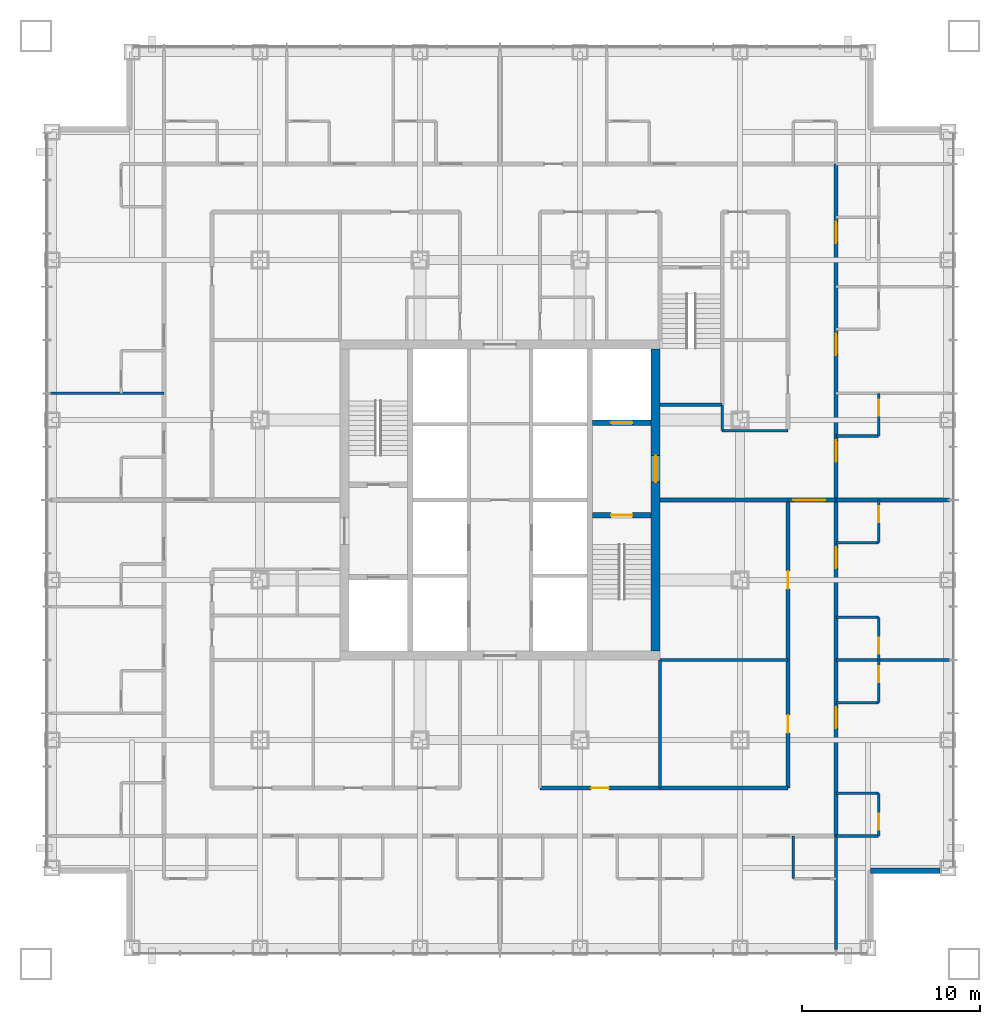
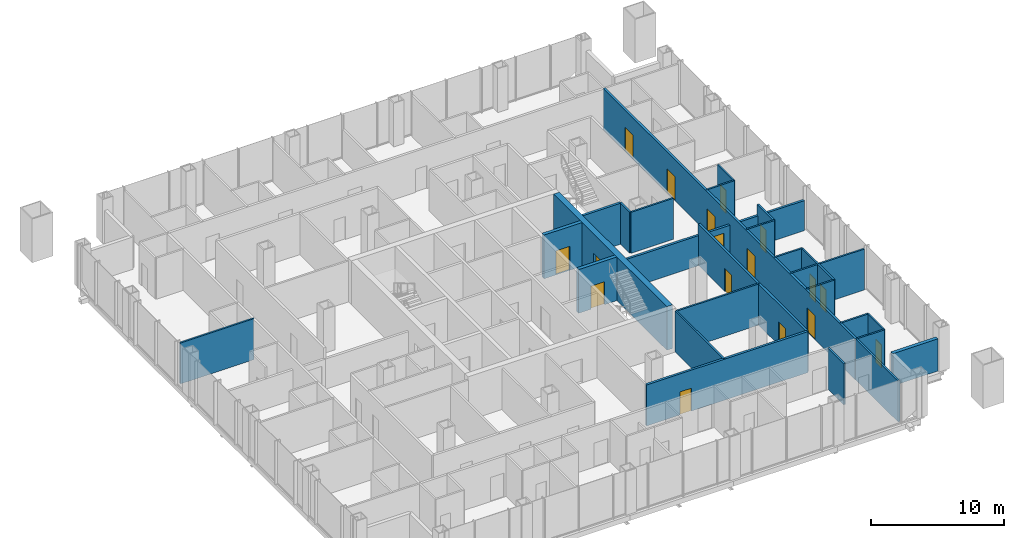
# One storey, part 9 of 12: 30 walls, 17 doors, 17 openings.
"""IFC4 building model written with IfcOpenShell, lengths in metres."""

from ifc_helpers import new_model, si_unit, direction, frame, frame_2d, origin, place, context, subcontext, project, spatial, rectangle, extrude, material, layer, layer_set, type_object, element, fill, save


model = new_model("IFC4")

# Units and contexts
model_context = context("Model", 3, precision=1e-05, world=origin(), true_north=direction((0.0, 1.0)))
body_context = subcontext(model_context, "Body", "Model", "MODEL_VIEW")
ifc_project = project(units=[si_unit("LENGTHUNIT", "METRE"), si_unit("AREAUNIT", "SQUARE_METRE"), si_unit("VOLUMEUNIT", "CUBIC_METRE"), si_unit("PLANEANGLEUNIT", "RADIAN"), si_unit("MASSUNIT", "GRAM", prefix="KILO")], contexts=[model_context])

# Site, building, storey
site_placement = place(None, origin())
site = spatial("IfcSite", under=ifc_project, at=site_placement, CompositionType="ELEMENT")
building_placement = place(site_placement, origin())
building = spatial("IfcBuilding", under=site, at=building_placement, Name="Malebo Sky Hospital", CompositionType="ELEMENT")
storey_placement = place(building_placement, frame((0.0, 0.0, 59.0)))
storey = spatial("IfcBuildingStorey", under=building, at=storey_placement, Name="L13", CompositionType="ELEMENT", Elevation=59.0)

# Wall, opening, door
ifc_material_1 = material(Name="Concrete C80/95", Category="concrete")
ifc_layer_1 = layer(ifc_material_1, 0.300048828125)
ifc_layer_set_1 = layer_set([ifc_layer_1], Name="CORE INNER WALL 300")
wall_type_1 = type_object("IfcWallType", Name="CORE INNER WALL 300", PredefinedType="SHEAR", material=ifc_layer_set_1)
wall_1_placement = place(storey_placement, frame((65.199951171875, 61.14990234375, 0.0), z_axis=(0.0, 0.0, 1.0), x_axis=(1.0, 0.0, 0.0)))
wall_1 = element("IfcWall", 1, at=wall_1_placement, inside=storey, type_object=wall_type_1, Name="Core wall E1 L13", PredefinedType="SHEAR", context=body_context, shape_type="SweptSolid", body=[
    extrude(rectangle(XDim=3.300048828125, YDim=0.300048828125, at=frame_2d((1.64990234375, 0.0))), origin(), (0.0, 0.0, 1.0), 4.0),
])
opening_1_placement = place(wall_1_placement, frame((1.050048828125, 0.0, 0.0)))
opening_1 = element("IfcOpeningElement", 2, at=opening_1_placement, cuts=wall_1, Name="Opening D08", PredefinedType="OPENING", context=body_context, shape_type="SweptSolid", body=[
    extrude(rectangle(XDim=1.199951171875, YDim=2.10009765625, at=frame_2d((0.60009765625, 1.050048828125))), frame((0.0, 0.159912109375, 0.0), z_axis=(0.0, -1.0, 0.0), x_axis=(1.0, 0.0, 0.0)), (0.0, 0.0, 1.0), 0.320068359375),
])
ifc_material_2 = material(Name="Hardwood-faced door leaf in steel frame", Category="steel")
door_type_1 = type_object("IfcDoorType", Name="STAIR DOOR 1200", OperationType="SINGLE_SWING_LEFT", PredefinedType="DOOR", material=ifc_material_2)
door_1_placement = place(opening_1_placement, origin())
door_1 = element("IfcDoor", 3, at=door_1_placement, inside=storey, type_object=door_type_1, Name="Stair S2 door", OperationType="SINGLE_SWING_LEFT", OverallHeight=2.10009765625, OverallWidth=1.199951171875, PredefinedType="DOOR", context=body_context, shape_type="SweptSolid", body=[
    extrude(rectangle(XDim=1.199951171875, YDim=2.10009765625, at=frame_2d((0.60009765625, 1.050048828125))), frame((0.0, 0.02490234375, 0.0), z_axis=(0.0, -1.0, 0.0), x_axis=(1.0, 0.0, 0.0)), (0.0, 0.0, 1.0), 0.050048828125),
])
fill(opening_1, door_1)

wall_2_placement = place(storey_placement, frame((65.199951171875, 66.35009765625, 0.0), z_axis=(0.0, 0.0, 1.0), x_axis=(1.0, 0.0, 0.0)))
wall_2 = element("IfcWall", 4, at=wall_2_placement, inside=storey, type_object=wall_type_1, Name="Core wall E2 L13", PredefinedType="SHEAR", context=body_context, shape_type="SweptSolid", body=[
    extrude(rectangle(XDim=3.300048828125, YDim=0.300048828125, at=frame_2d((1.64990234375, 0.0))), origin(), (0.0, 0.0, 1.0), 4.0),
])
opening_2_placement = place(wall_2_placement, frame((1.050048828125, 0.0, 0.0)))
opening_2 = element("IfcOpeningElement", 5, at=opening_2_placement, cuts=wall_2, Name="Opening LD2", PredefinedType="OPENING", context=body_context, shape_type="SweptSolid", body=[
    extrude(rectangle(XDim=1.199951171875, YDim=2.199951171875, at=frame_2d((0.60009765625, 1.10009765625))), frame((0.0, 0.159912109375, 0.0), z_axis=(0.0, -1.0, 0.0), x_axis=(1.0, 0.0, 0.0)), (0.0, 0.0, 1.0), 0.320068359375),
])
ifc_material_3 = material(Name="Stainless steel sliding landing door", Category="steel")
door_type_2 = type_object("IfcDoorType", Name="FIRE-FIGHTING LIFT LANDING DOOR 1200", OperationType="SLIDING_TO_LEFT", PredefinedType="DOOR", material=ifc_material_3)
door_2_placement = place(opening_2_placement, origin())
door_2 = element("IfcDoor", 6, at=door_2_placement, inside=storey, type_object=door_type_2, Name="Lift FL2 landing door", OperationType="SLIDING_TO_LEFT", OverallHeight=2.199951171875, OverallWidth=1.199951171875, PredefinedType="DOOR", context=body_context, shape_type="SweptSolid", body=[
    extrude(rectangle(XDim=1.199951171875, YDim=2.199951171875, at=frame_2d((0.60009765625, 1.10009765625))), frame((0.0, 0.02490234375, 0.0), z_axis=(0.0, -1.0, 0.0), x_axis=(1.0, 0.0, 0.0)), (0.0, 0.0, 1.0), 0.050048828125),
])
fill(opening_2, door_2)

ifc_layer_2 = layer(ifc_material_1, 0.5)
ifc_layer_set_2 = layer_set([ifc_layer_2], Name="CORE WALL 500")
wall_type_2 = type_object("IfcWallType", Name="CORE WALL 500", PredefinedType="SHEAR", material=ifc_layer_set_2)
wall_3_placement = place(storey_placement, frame((68.75, 53.5, 0.0), z_axis=(0.0, 0.0, 1.0), x_axis=(0.0, 1.0, 0.0)))
wall_3 = element("IfcWall", 7, at=wall_3_placement, inside=storey, type_object=wall_type_2, Name="Core wall E L13", PredefinedType="SHEAR", context=body_context, shape_type="SweptSolid", body=[
    extrude(rectangle(XDim=17.0, YDim=0.5, at=frame_2d((8.5, 0.0))), origin(), (0.0, 0.0, 1.0), 4.0),
])
opening_3_placement = place(wall_3_placement, frame((9.5, 0.0, 0.0)))
opening_3 = element("IfcOpeningElement", 8, at=opening_3_placement, cuts=wall_3, Name="Opening D07", PredefinedType="OPENING", context=body_context, shape_type="SweptSolid", body=[
    extrude(rectangle(XDim=1.5, YDim=2.199951171875, at=frame_2d((0.75, 1.10009765625))), frame((0.0, 0.260009765625, 0.0), z_axis=(0.0, -1.0, 0.0), x_axis=(1.0, 0.0, 0.0)), (0.0, 0.0, 1.0), 0.52001953125),
])
door_type_3 = type_object("IfcDoorType", Name="FIRE-FIGHTING LOBBY DOOR PAIR 1500", OperationType="DOUBLE_DOOR_SINGLE_SWING", PredefinedType="DOOR", material=ifc_material_2)
door_3_placement = place(opening_3_placement, origin())
door_3 = element("IfcDoor", 9, at=door_3_placement, inside=storey, type_object=door_type_3, Name="Fire-fighting lobby door east", OperationType="DOUBLE_DOOR_SINGLE_SWING", OverallHeight=2.199951171875, OverallWidth=1.5, PredefinedType="DOOR", context=body_context, shape_type="SweptSolid", body=[
    extrude(rectangle(XDim=1.5, YDim=2.199951171875, at=frame_2d((0.75, 1.10009765625))), frame((0.0, 0.02490234375, 0.0), z_axis=(0.0, -1.0, 0.0), x_axis=(1.0, 0.0, 0.0)), (0.0, 0.0, 1.0), 0.050048828125),
])
fill(opening_3, door_3)

ifc_material_4 = material(Name="Gypsum board on steel studs", Category="steel")
ifc_layer_3 = layer(ifc_material_4, 0.199951171875)
ifc_layer_set_3 = layer_set([ifc_layer_3], Name="CORRIDOR WALL 200")
wall_type_3 = type_object("IfcWallType", Name="CORRIDOR WALL 200", PredefinedType="PARTITIONING", material=ifc_layer_set_3)
wall_4_placement = place(storey_placement, frame((76.199951171875, 45.800048828125, 0.0), z_axis=(0.0, 0.0, 1.0), x_axis=(-1.0, 0.0, 0.0)))
wall_4 = element("IfcWall", 10, at=wall_4_placement, inside=storey, type_object=wall_type_3, Name="Corridor Wall 200 SCI1", PredefinedType="PARTITIONING", context=body_context, shape_type="SweptSolid", body=[
    extrude(rectangle(XDim=13.949951171875, YDim=0.199951171875, at=frame_2d((6.97509765625, 0.0))), origin(), (0.0, 0.0, 1.0), 3.75),
])
opening_4_placement = place(wall_4_placement, frame((10.074951171875, 0.0, 0.0)))
opening_4 = element("IfcOpeningElement", 11, at=opening_4_placement, cuts=wall_4, Name="Opening D03", PredefinedType="OPENING", context=body_context, shape_type="SweptSolid", body=[
    extrude(rectangle(XDim=1.0, YDim=2.10009765625, at=frame_2d((0.5, 1.050048828125))), frame((0.0, 0.10986328125, 0.0), z_axis=(0.0, -1.0, 0.0), x_axis=(1.0, 0.0, 0.0)), (0.0, 0.0, 1.0), 0.219970703125),
])
door_type_4 = type_object("IfcDoorType", Name="ROOM DOOR 1000", OperationType="SINGLE_SWING_LEFT", PredefinedType="DOOR", material=ifc_material_2)
door_4_placement = place(opening_4_placement, origin())
door_4 = element("IfcDoor", 12, at=door_4_placement, inside=storey, type_object=door_type_4, Name="Ward pantry door", OperationType="SINGLE_SWING_LEFT", OverallHeight=2.10009765625, OverallWidth=1.0, PredefinedType="DOOR", context=body_context, shape_type="SweptSolid", body=[
    extrude(rectangle(XDim=1.0, YDim=2.10009765625, at=frame_2d((0.5, 1.050048828125))), frame((0.0, 0.02490234375, 0.0), z_axis=(0.0, -1.0, 0.0), x_axis=(1.0, 0.0, 0.0)), (0.0, 0.0, 1.0), 0.050048828125),
])
fill(opening_4, door_4)

# Wall, openings, doors
wall_5_placement = place(storey_placement, frame((78.89990234375, 80.89990234375, 0.0), z_axis=(0.0, 0.0, 1.0), x_axis=(0.0, -1.0, 0.0)))
wall_5 = element("IfcWall", 13, at=wall_5_placement, inside=storey, type_object=wall_type_3, Name="Corridor Wall 200 ECO", PredefinedType="PARTITIONING", context=body_context, shape_type="SweptSolid", body=[
    extrude(rectangle(XDim=37.7998046875, YDim=0.199951171875, at=frame_2d((18.89990234375, 0.0))), origin(), (0.0, 0.0, 1.0), 3.75),
])
opening_5_placement = place(wall_5_placement, frame((3.25, 0.0, 0.0)))
opening_5 = element("IfcOpeningElement", 14, at=opening_5_placement, cuts=wall_5, Name="Opening D18", PredefinedType="OPENING", context=body_context, shape_type="SweptSolid", body=[
    extrude(rectangle(XDim=1.199951171875, YDim=2.199951171875, at=frame_2d((0.60009765625, 1.10009765625))), frame((0.0, 0.10986328125, 0.0), z_axis=(0.0, -1.0, 0.0), x_axis=(1.0, 0.0, 0.0)), (0.0, 0.0, 1.0), 0.219970703125),
])
opening_6_placement = place(wall_5_placement, frame((9.550048828125, 0.0, 0.0)))
opening_6 = element("IfcOpeningElement", 15, at=opening_6_placement, cuts=wall_5, Name="Opening D01", PredefinedType="OPENING", context=body_context, shape_type="SweptSolid", body=[
    extrude(rectangle(XDim=1.199951171875, YDim=2.199951171875, at=frame_2d((0.60009765625, 1.10009765625))), frame((0.0, 0.10986328125, 0.0), z_axis=(0.0, -1.0, 0.0), x_axis=(1.0, 0.0, 0.0)), (0.0, 0.0, 1.0), 0.219970703125),
])
opening_7_placement = place(wall_5_placement, frame((15.550048828125, 0.0, 0.0)))
opening_7 = element("IfcOpeningElement", 16, at=opening_7_placement, cuts=wall_5, Name="Opening D01", PredefinedType="OPENING", context=body_context, shape_type="SweptSolid", body=[
    extrude(rectangle(XDim=1.199951171875, YDim=2.199951171875, at=frame_2d((0.60009765625, 1.10009765625))), frame((0.0, 0.10986328125, 0.0), z_axis=(0.0, -1.0, 0.0), x_axis=(1.0, 0.0, 0.0)), (0.0, 0.0, 1.0), 0.219970703125),
])
opening_8_placement = place(wall_5_placement, frame((21.550048828125, 0.0, 0.0)))
opening_8 = element("IfcOpeningElement", 17, at=opening_8_placement, cuts=wall_5, Name="Opening D01", PredefinedType="OPENING", context=body_context, shape_type="SweptSolid", body=[
    extrude(rectangle(XDim=1.199951171875, YDim=2.199951171875, at=frame_2d((0.60009765625, 1.10009765625))), frame((0.0, 0.10986328125, 0.0), z_axis=(0.0, -1.0, 0.0), x_axis=(1.0, 0.0, 0.0)), (0.0, 0.0, 1.0), 0.219970703125),
])
opening_9_placement = place(wall_5_placement, frame((30.550048828125, 0.0, 0.0)))
opening_9 = element("IfcOpeningElement", 18, at=opening_9_placement, cuts=wall_5, Name="Opening D01", PredefinedType="OPENING", context=body_context, shape_type="SweptSolid", body=[
    extrude(rectangle(XDim=1.199951171875, YDim=2.199951171875, at=frame_2d((0.60009765625, 1.10009765625))), frame((0.0, 0.10986328125, 0.0), z_axis=(0.0, -1.0, 0.0), x_axis=(1.0, 0.0, 0.0)), (0.0, 0.0, 1.0), 0.219970703125),
])
door_type_5 = type_object("IfcDoorType", Name="ANTEROOM DOOR 1200", OperationType="SINGLE_SWING_LEFT", PredefinedType="DOOR", material=ifc_material_2)
door_5_placement = place(opening_5_placement, origin())
door_5 = element("IfcDoor", 19, at=door_5_placement, inside=storey, type_object=door_type_5, Name="Anteroom door", OperationType="SINGLE_SWING_LEFT", OverallHeight=2.199951171875, OverallWidth=1.199951171875, PredefinedType="DOOR", context=body_context, shape_type="SweptSolid", body=[
    extrude(rectangle(XDim=1.199951171875, YDim=2.199951171875, at=frame_2d((0.60009765625, 1.10009765625))), frame((0.0, 0.02490234375, 0.0), z_axis=(0.0, -1.0, 0.0), x_axis=(1.0, 0.0, 0.0)), (0.0, 0.0, 1.0), 0.050048828125),
])
fill(opening_5, door_5)
door_type_6 = type_object("IfcDoorType", Name="BED DOOR 1200", OperationType="SINGLE_SWING_LEFT", PredefinedType="DOOR", material=ifc_material_2)
door_6_placement = place(opening_6_placement, origin())
door_6 = element("IfcDoor", 20, at=door_6_placement, inside=storey, type_object=door_type_6, Name="Two-bed room door", OperationType="SINGLE_SWING_LEFT", OverallHeight=2.199951171875, OverallWidth=1.199951171875, PredefinedType="DOOR", context=body_context, shape_type="SweptSolid", body=[
    extrude(rectangle(XDim=1.199951171875, YDim=2.199951171875, at=frame_2d((0.60009765625, 1.10009765625))), frame((0.0, 0.02490234375, 0.0), z_axis=(0.0, -1.0, 0.0), x_axis=(1.0, 0.0, 0.0)), (0.0, 0.0, 1.0), 0.050048828125),
])
fill(opening_6, door_6)
door_7_placement = place(opening_7_placement, origin())
door_7 = element("IfcDoor", 21, at=door_7_placement, inside=storey, type_object=door_type_6, Name="Two-bed room door", OperationType="SINGLE_SWING_LEFT", OverallHeight=2.199951171875, OverallWidth=1.199951171875, PredefinedType="DOOR", context=body_context, shape_type="SweptSolid", body=[
    extrude(rectangle(XDim=1.199951171875, YDim=2.199951171875, at=frame_2d((0.60009765625, 1.10009765625))), frame((0.0, 0.02490234375, 0.0), z_axis=(0.0, -1.0, 0.0), x_axis=(1.0, 0.0, 0.0)), (0.0, 0.0, 1.0), 0.050048828125),
])
fill(opening_7, door_7)
door_8_placement = place(opening_8_placement, origin())
door_8 = element("IfcDoor", 22, at=door_8_placement, inside=storey, type_object=door_type_6, Name="Four-bed bay door", OperationType="SINGLE_SWING_LEFT", OverallHeight=2.199951171875, OverallWidth=1.199951171875, PredefinedType="DOOR", context=body_context, shape_type="SweptSolid", body=[
    extrude(rectangle(XDim=1.199951171875, YDim=2.199951171875, at=frame_2d((0.60009765625, 1.10009765625))), frame((0.0, 0.02490234375, 0.0), z_axis=(0.0, -1.0, 0.0), x_axis=(1.0, 0.0, 0.0)), (0.0, 0.0, 1.0), 0.050048828125),
])
fill(opening_8, door_8)
door_9_placement = place(opening_9_placement, origin())
door_9 = element("IfcDoor", 23, at=door_9_placement, inside=storey, type_object=door_type_6, Name="Four-bed bay door", OperationType="SINGLE_SWING_LEFT", OverallHeight=2.199951171875, OverallWidth=1.199951171875, PredefinedType="DOOR", context=body_context, shape_type="SweptSolid", body=[
    extrude(rectangle(XDim=1.199951171875, YDim=2.199951171875, at=frame_2d((0.60009765625, 1.10009765625))), frame((0.0, 0.02490234375, 0.0), z_axis=(0.0, -1.0, 0.0), x_axis=(1.0, 0.0, 0.0)), (0.0, 0.0, 1.0), 0.050048828125),
])
fill(opening_9, door_9)

wall_6_placement = place(storey_placement, frame((76.199951171875, 62.0, 0.0), z_axis=(0.0, 0.0, 1.0), x_axis=(0.0, -1.0, 0.0)))
wall_6 = element("IfcWall", 24, at=wall_6_placement, inside=storey, type_object=wall_type_3, Name="Corridor Wall 200 ECI2", PredefinedType="PARTITIONING", context=body_context, shape_type="SweptSolid", body=[
    extrude(rectangle(XDim=16.199951171875, YDim=0.199951171875, at=frame_2d((8.10009765625, 0.0))), origin(), (0.0, 0.0, 1.0), 3.75),
])
opening_10_placement = place(wall_6_placement, frame((4.0, 0.0, 0.0)))
opening_10 = element("IfcOpeningElement", 25, at=opening_10_placement, cuts=wall_6, Name="Opening D03", PredefinedType="OPENING", context=body_context, shape_type="SweptSolid", body=[
    extrude(rectangle(XDim=1.0, YDim=2.10009765625, at=frame_2d((0.5, 1.050048828125))), frame((0.0, 0.10986328125, 0.0), z_axis=(0.0, -1.0, 0.0), x_axis=(1.0, 0.0, 0.0)), (0.0, 0.0, 1.0), 0.219970703125),
])
opening_11_placement = place(wall_6_placement, frame((12.10009765625, 0.0, 0.0)))
opening_11 = element("IfcOpeningElement", 26, at=opening_11_placement, cuts=wall_6, Name="Opening D03", PredefinedType="OPENING", context=body_context, shape_type="SweptSolid", body=[
    extrude(rectangle(XDim=1.0, YDim=2.10009765625, at=frame_2d((0.5, 1.050048828125))), frame((0.0, 0.10986328125, 0.0), z_axis=(0.0, -1.0, 0.0), x_axis=(1.0, 0.0, 0.0)), (0.0, 0.0, 1.0), 0.219970703125),
])
door_10_placement = place(opening_10_placement, origin())
door_10 = element("IfcDoor", 27, at=door_10_placement, inside=storey, type_object=door_type_4, Name="Staff rest room door", OperationType="SINGLE_SWING_LEFT", OverallHeight=2.10009765625, OverallWidth=1.0, PredefinedType="DOOR", context=body_context, shape_type="SweptSolid", body=[
    extrude(rectangle(XDim=1.0, YDim=2.10009765625, at=frame_2d((0.5, 1.050048828125))), frame((0.0, 0.02490234375, 0.0), z_axis=(0.0, -1.0, 0.0), x_axis=(1.0, 0.0, 0.0)), (0.0, 0.0, 1.0), 0.050048828125),
])
fill(opening_10, door_10)
door_11_placement = place(opening_11_placement, origin())
door_11 = element("IfcDoor", 28, at=door_11_placement, inside=storey, type_object=door_type_4, Name="Wound care room door", OperationType="SINGLE_SWING_RIGHT", OverallHeight=2.10009765625, OverallWidth=1.0, PredefinedType="DOOR", context=body_context, shape_type="SweptSolid", body=[
    extrude(rectangle(XDim=1.0, YDim=2.10009765625, at=frame_2d((0.5, 1.050048828125))), frame((0.0, 0.02490234375, 0.0), z_axis=(0.0, -1.0, 0.0), x_axis=(1.0, 0.0, 0.0)), (0.0, 0.0, 1.0), 0.050048828125),
])
fill(opening_11, door_11)

# Walls
ifc_material_5 = material(Name="Anodised aluminium rainscreen on steel framing", Category="steel")
ifc_layer_4 = layer(ifc_material_5, 0.300048828125)
ifc_layer_set_4 = layer_set([ifc_layer_4], Name="NOTCH RAINSCREEN WALL 300")
wall_type_4 = type_object("IfcWallType", Name="NOTCH RAINSCREEN WALL 300", PredefinedType="ELEMENTEDWALL", material=ifc_layer_set_4)
wall_7_placement = place(storey_placement, frame((84.75, 41.14990234375, 0.0), z_axis=(0.0, 0.0, 1.0), x_axis=(-1.0, 0.0, 0.0)))
element("IfcWall", 29, at=wall_7_placement, inside=storey, type_object=wall_type_4, Name="Notch rainscreen wall E1 L13", PredefinedType="ELEMENTEDWALL", context=body_context, shape_type="SweptSolid", body=[
    extrude(rectangle(XDim=3.89990234375, YDim=0.300048828125, at=frame_2d((1.949951171875, 0.0))), origin(), (0.0, 0.0, 1.0), 2.949951171875),
])
ifc_layer_5 = layer(ifc_material_4, 0.14990234375)
ifc_layer_set_5 = layer_set([ifc_layer_5], Name="PARTITION 150")
wall_type_5 = type_object("IfcWallType", Name="PARTITION 150", PredefinedType="PARTITIONING", material=ifc_layer_set_5)
for number, where, z_axis, x_axis, name in (
    (30, (41.10009765625, 68.0, 0.0), (0.0, 0.0, 1.0), (-1.0, 0.0, 0.0), "Partition 150 WP+6.0"),
    (31, (78.89990234375, 43.10009765625, 0.0), (0.0, 0.0, 1.0), (0.0, -1.0, 0.0), "Partition 150 SP0"),
):
    element("IfcWall", number, at=place(storey_placement, frame(where, z_axis=z_axis, x_axis=x_axis)), inside=storey, type_object=wall_type_5, Name=name, PredefinedType="PARTITIONING", context=body_context, shape_type="SweptSolid", body=[
        extrude(rectangle(XDim=6.375, YDim=0.14990234375, at=frame_2d((3.1875, 0.0))), origin(), (0.0, 0.0, 1.0), 3.75),
    ])
wall_8_placement = place(storey_placement, frame((76.5, 43.10009765625, 0.0), z_axis=(0.0, 0.0, 1.0), x_axis=(0.0, -1.0, 0.0)))
element("IfcWall", 32, at=wall_8_placement, inside=storey, type_object=wall_type_5, Name="Partition 150 SE0S", PredefinedType="PARTITIONING", context=body_context, shape_type="SweptSolid", body=[
    extrude(rectangle(XDim=2.400146484375, YDim=0.14990234375, at=frame_2d((1.2001953125, 0.0))), origin(), (0.0, 0.0, 1.0), 3.75),
])
wall_9_placement = place(storey_placement, frame((69.0, 53.0, 0.0), z_axis=(0.0, 0.0, 1.0), x_axis=(0.0, -1.0, 0.0)))
element("IfcWall", 33, at=wall_9_placement, inside=storey, type_object=wall_type_5, Name="Partition 150 SSP0", PredefinedType="PARTITIONING", context=body_context, shape_type="SweptSolid", body=[
    extrude(rectangle(XDim=7.199951171875, YDim=0.14990234375, at=frame_2d((3.60009765625, 0.0))), origin(), (0.0, 0.0, 1.0), 3.75),
])
wall_10_placement = place(storey_placement, frame((78.89990234375, 53.0, 0.0), z_axis=(0.0, 0.0, 1.0), x_axis=(1.0, 0.0, 0.0)))
element("IfcWall", 34, at=wall_10_placement, inside=storey, type_object=wall_type_5, Name="Partition 150 EP+9.0", PredefinedType="PARTITIONING", context=body_context, shape_type="SweptSolid", body=[
    extrude(rectangle(XDim=6.375, YDim=0.14990234375, at=frame_2d((3.1875, 0.0))), origin(), (0.0, 0.0, 1.0), 3.75),
])

# Wall, opening, door
wall_11_placement = place(storey_placement, frame((81.300048828125, 68.0, 0.0), z_axis=(0.0, 0.0, 1.0), x_axis=(0.0, -1.0, 0.0)))
wall_11 = element("IfcWall", 35, at=wall_11_placement, inside=storey, type_object=wall_type_5, Name="Partition 150 EE2F", PredefinedType="PARTITIONING", context=body_context, shape_type="SweptSolid", body=[
    extrude(rectangle(XDim=2.39990234375, YDim=0.14990234375, at=frame_2d((1.199951171875, 0.0))), origin(), (0.0, 0.0, 1.0), 3.75),
])
opening_12_placement = place(wall_11_placement, frame((0.35009765625, 0.0, 0.0)))
opening_12 = element("IfcOpeningElement", 36, at=opening_12_placement, cuts=wall_11, Name="Opening D02", PredefinedType="OPENING", context=body_context, shape_type="SweptSolid", body=[
    extrude(rectangle(XDim=0.89990234375, YDim=2.10009765625, at=frame_2d((0.449951171875, 1.050048828125))), frame((0.0, 0.0849609375, 0.0), z_axis=(0.0, -1.0, 0.0), x_axis=(1.0, 0.0, 0.0)), (0.0, 0.0, 1.0), 0.169921875),
])
door_type_7 = type_object("IfcDoorType", Name="EN-SUITE DOOR 900", OperationType="SINGLE_SWING_LEFT", PredefinedType="DOOR", material=ifc_material_2)
door_12_placement = place(opening_12_placement, origin())
door_12 = element("IfcDoor", 37, at=door_12_placement, inside=storey, type_object=door_type_7, Name="En-suite door", OperationType="SINGLE_SWING_LEFT", OverallHeight=2.10009765625, OverallWidth=0.89990234375, PredefinedType="DOOR", context=body_context, shape_type="SweptSolid", body=[
    extrude(rectangle(XDim=0.89990234375, YDim=2.10009765625, at=frame_2d((0.449951171875, 1.050048828125))), frame((0.0, 0.02490234375, 0.0), z_axis=(0.0, -1.0, 0.0), x_axis=(1.0, 0.0, 0.0)), (0.0, 0.0, 1.0), 0.050048828125),
])
fill(opening_12, door_12)

# Wall
wall_12_placement = place(storey_placement, frame((78.89990234375, 65.60009765625, 0.0), z_axis=(0.0, 0.0, 1.0), x_axis=(1.0, 0.0, 0.0)))
element("IfcWall", 38, at=wall_12_placement, inside=storey, type_object=wall_type_5, Name="Partition 150 EE2S", PredefinedType="PARTITIONING", context=body_context, shape_type="SweptSolid", body=[
    extrude(rectangle(XDim=2.400146484375, YDim=0.14990234375, at=frame_2d((1.2001953125, 0.0))), origin(), (0.0, 0.0, 1.0), 3.75),
])

# Wall, opening, door
wall_13_placement = place(storey_placement, frame((81.300048828125, 62.0, 0.0), z_axis=(0.0, 0.0, 1.0), x_axis=(0.0, -1.0, 0.0)))
wall_13 = element("IfcWall", 39, at=wall_13_placement, inside=storey, type_object=wall_type_5, Name="Partition 150 EE3F", PredefinedType="PARTITIONING", context=body_context, shape_type="SweptSolid", body=[
    extrude(rectangle(XDim=2.39990234375, YDim=0.14990234375, at=frame_2d((1.199951171875, 0.0))), origin(), (0.0, 0.0, 1.0), 3.75),
])
opening_13_placement = place(wall_13_placement, frame((0.35009765625, 0.0, 0.0)))
opening_13 = element("IfcOpeningElement", 40, at=opening_13_placement, cuts=wall_13, Name="Opening D02", PredefinedType="OPENING", context=body_context, shape_type="SweptSolid", body=[
    extrude(rectangle(XDim=0.89990234375, YDim=2.10009765625, at=frame_2d((0.449951171875, 1.050048828125))), frame((0.0, 0.0849609375, 0.0), z_axis=(0.0, -1.0, 0.0), x_axis=(1.0, 0.0, 0.0)), (0.0, 0.0, 1.0), 0.169921875),
])
door_13_placement = place(opening_13_placement, origin())
door_13 = element("IfcDoor", 41, at=door_13_placement, inside=storey, type_object=door_type_7, Name="En-suite door", OperationType="SINGLE_SWING_LEFT", OverallHeight=2.10009765625, OverallWidth=0.89990234375, PredefinedType="DOOR", context=body_context, shape_type="SweptSolid", body=[
    extrude(rectangle(XDim=0.89990234375, YDim=2.10009765625, at=frame_2d((0.449951171875, 1.050048828125))), frame((0.0, 0.02490234375, 0.0), z_axis=(0.0, -1.0, 0.0), x_axis=(1.0, 0.0, 0.0)), (0.0, 0.0, 1.0), 0.050048828125),
])
fill(opening_13, door_13)

# Wall
wall_14_placement = place(storey_placement, frame((78.89990234375, 59.60009765625, 0.0), z_axis=(0.0, 0.0, 1.0), x_axis=(1.0, 0.0, 0.0)))
element("IfcWall", 42, at=wall_14_placement, inside=storey, type_object=wall_type_5, Name="Partition 150 EE3S", PredefinedType="PARTITIONING", context=body_context, shape_type="SweptSolid", body=[
    extrude(rectangle(XDim=2.400146484375, YDim=0.14990234375, at=frame_2d((1.2001953125, 0.0))), origin(), (0.0, 0.0, 1.0), 3.75),
])

# Wall, opening, door
wall_15_placement = place(storey_placement, frame((81.300048828125, 55.39990234375, 0.0), z_axis=(0.0, 0.0, 1.0), x_axis=(0.0, -1.0, 0.0)))
wall_15 = element("IfcWall", 43, at=wall_15_placement, inside=storey, type_object=wall_type_5, Name="Partition 150 EG3F", PredefinedType="PARTITIONING", context=body_context, shape_type="SweptSolid", body=[
    extrude(rectangle(XDim=2.39990234375, YDim=0.14990234375, at=frame_2d((1.199951171875, 0.0))), origin(), (0.0, 0.0, 1.0), 3.75),
])
opening_14_placement = place(wall_15_placement, frame((1.14990234375, 0.0, 0.0)))
opening_14 = element("IfcOpeningElement", 44, at=opening_14_placement, cuts=wall_15, Name="Opening D02", PredefinedType="OPENING", context=body_context, shape_type="SweptSolid", body=[
    extrude(rectangle(XDim=0.89990234375, YDim=2.10009765625, at=frame_2d((0.449951171875, 1.050048828125))), frame((0.0, 0.0849609375, 0.0), z_axis=(0.0, -1.0, 0.0), x_axis=(1.0, 0.0, 0.0)), (0.0, 0.0, 1.0), 0.169921875),
])
door_14_placement = place(opening_14_placement, origin())
door_14 = element("IfcDoor", 45, at=door_14_placement, inside=storey, type_object=door_type_7, Name="En-suite door", OperationType="SINGLE_SWING_RIGHT", OverallHeight=2.10009765625, OverallWidth=0.89990234375, PredefinedType="DOOR", context=body_context, shape_type="SweptSolid", body=[
    extrude(rectangle(XDim=0.89990234375, YDim=2.10009765625, at=frame_2d((0.449951171875, 1.050048828125))), frame((0.0, 0.02490234375, 0.0), z_axis=(0.0, -1.0, 0.0), x_axis=(1.0, 0.0, 0.0)), (0.0, 0.0, 1.0), 0.050048828125),
])
fill(opening_14, door_14)

# Wall
wall_16_placement = place(storey_placement, frame((78.89990234375, 55.39990234375, 0.0), z_axis=(0.0, 0.0, 1.0), x_axis=(1.0, 0.0, 0.0)))
element("IfcWall", 46, at=wall_16_placement, inside=storey, type_object=wall_type_5, Name="Partition 150 EG3S", PredefinedType="PARTITIONING", context=body_context, shape_type="SweptSolid", body=[
    extrude(rectangle(XDim=2.400146484375, YDim=0.14990234375, at=frame_2d((1.2001953125, 0.0))), origin(), (0.0, 0.0, 1.0), 3.75),
])

# Wall, opening, door
wall_17_placement = place(storey_placement, frame((81.300048828125, 53.0, 0.0), z_axis=(0.0, 0.0, 1.0), x_axis=(0.0, -1.0, 0.0)))
wall_17 = element("IfcWall", 47, at=wall_17_placement, inside=storey, type_object=wall_type_5, Name="Partition 150 EE4F", PredefinedType="PARTITIONING", context=body_context, shape_type="SweptSolid", body=[
    extrude(rectangle(XDim=2.39990234375, YDim=0.14990234375, at=frame_2d((1.199951171875, 0.0))), origin(), (0.0, 0.0, 1.0), 3.75),
])
opening_15_placement = place(wall_17_placement, frame((0.35009765625, 0.0, 0.0)))
opening_15 = element("IfcOpeningElement", 48, at=opening_15_placement, cuts=wall_17, Name="Opening D02", PredefinedType="OPENING", context=body_context, shape_type="SweptSolid", body=[
    extrude(rectangle(XDim=0.89990234375, YDim=2.10009765625, at=frame_2d((0.449951171875, 1.050048828125))), frame((0.0, 0.0849609375, 0.0), z_axis=(0.0, -1.0, 0.0), x_axis=(1.0, 0.0, 0.0)), (0.0, 0.0, 1.0), 0.169921875),
])
door_15_placement = place(opening_15_placement, origin())
door_15 = element("IfcDoor", 49, at=door_15_placement, inside=storey, type_object=door_type_7, Name="En-suite door", OperationType="SINGLE_SWING_LEFT", OverallHeight=2.10009765625, OverallWidth=0.89990234375, PredefinedType="DOOR", context=body_context, shape_type="SweptSolid", body=[
    extrude(rectangle(XDim=0.89990234375, YDim=2.10009765625, at=frame_2d((0.449951171875, 1.050048828125))), frame((0.0, 0.02490234375, 0.0), z_axis=(0.0, -1.0, 0.0), x_axis=(1.0, 0.0, 0.0)), (0.0, 0.0, 1.0), 0.050048828125),
])
fill(opening_15, door_15)

# Wall
wall_18_placement = place(storey_placement, frame((78.89990234375, 50.60009765625, 0.0), z_axis=(0.0, 0.0, 1.0), x_axis=(1.0, 0.0, 0.0)))
element("IfcWall", 50, at=wall_18_placement, inside=storey, type_object=wall_type_5, Name="Partition 150 EE4S", PredefinedType="PARTITIONING", context=body_context, shape_type="SweptSolid", body=[
    extrude(rectangle(XDim=2.400146484375, YDim=0.14990234375, at=frame_2d((1.2001953125, 0.0))), origin(), (0.0, 0.0, 1.0), 3.75),
])

# Wall, opening, door
wall_19_placement = place(storey_placement, frame((81.300048828125, 45.5, 0.0), z_axis=(0.0, 0.0, 1.0), x_axis=(0.0, -1.0, 0.0)))
wall_19 = element("IfcWall", 51, at=wall_19_placement, inside=storey, type_object=wall_type_5, Name="Partition 150 EG4F", PredefinedType="PARTITIONING", context=body_context, shape_type="SweptSolid", body=[
    extrude(rectangle(XDim=2.39990234375, YDim=0.14990234375, at=frame_2d((1.199951171875, 0.0))), origin(), (0.0, 0.0, 1.0), 3.75),
])
opening_16_placement = place(wall_19_placement, frame((1.14990234375, 0.0, 0.0)))
opening_16 = element("IfcOpeningElement", 52, at=opening_16_placement, cuts=wall_19, Name="Opening D02", PredefinedType="OPENING", context=body_context, shape_type="SweptSolid", body=[
    extrude(rectangle(XDim=0.89990234375, YDim=2.10009765625, at=frame_2d((0.449951171875, 1.050048828125))), frame((0.0, 0.0849609375, 0.0), z_axis=(0.0, -1.0, 0.0), x_axis=(1.0, 0.0, 0.0)), (0.0, 0.0, 1.0), 0.169921875),
])
door_16_placement = place(opening_16_placement, origin())
door_16 = element("IfcDoor", 53, at=door_16_placement, inside=storey, type_object=door_type_7, Name="En-suite door", OperationType="SINGLE_SWING_RIGHT", OverallHeight=2.10009765625, OverallWidth=0.89990234375, PredefinedType="DOOR", context=body_context, shape_type="SweptSolid", body=[
    extrude(rectangle(XDim=0.89990234375, YDim=2.10009765625, at=frame_2d((0.449951171875, 1.050048828125))), frame((0.0, 0.02490234375, 0.0), z_axis=(0.0, -1.0, 0.0), x_axis=(1.0, 0.0, 0.0)), (0.0, 0.0, 1.0), 0.050048828125),
])
fill(opening_16, door_16)

# Walls
for number, where, z_axis, x_axis, name in (
    (54, (78.89990234375, 45.5, 0.0), (0.0, 0.0, 1.0), (1.0, 0.0, 0.0), "Partition 150 EG4S"),
    (55, (78.89990234375, 43.10009765625, 0.0), (0.0, 0.0, 1.0), (1.0, 0.0, 0.0), "Partition 150 EEZ"),
):
    element("IfcWall", number, at=place(storey_placement, frame(where, z_axis=z_axis, x_axis=x_axis)), inside=storey, type_object=wall_type_5, Name=name, PredefinedType="PARTITIONING", context=body_context, shape_type="SweptSolid", body=[
        extrude(rectangle(XDim=2.400146484375, YDim=0.14990234375, at=frame_2d((1.2001953125, 0.0))), origin(), (0.0, 0.0, 1.0), 3.75),
    ])
wall_20_placement = place(storey_placement, frame((72.5, 65.89990234375, 0.0), z_axis=(0.0, 0.0, 1.0), x_axis=(1.0, 0.0, 0.0)))
element("IfcWall", 56, at=wall_20_placement, inside=storey, type_object=wall_type_5, Name="Partition 150 ESPA", PredefinedType="PARTITIONING", context=body_context, shape_type="SweptSolid", body=[
    extrude(rectangle(XDim=3.699951171875, YDim=0.14990234375, at=frame_2d((1.85009765625, 0.0))), origin(), (0.0, 0.0, 1.0), 3.75),
])
wall_21_placement = place(storey_placement, frame((69.0, 53.0, 0.0), z_axis=(0.0, 0.0, 1.0), x_axis=(1.0, 0.0, 0.0)))
element("IfcWall", 57, at=wall_21_placement, inside=storey, type_object=wall_type_5, Name="Partition 150 ESP+9.0", PredefinedType="PARTITIONING", context=body_context, shape_type="SweptSolid", body=[
    extrude(rectangle(XDim=7.199951171875, YDim=0.14990234375, at=frame_2d((3.60009765625, 0.0))), origin(), (0.0, 0.0, 1.0), 3.75),
])
wall_22_placement = place(storey_placement, frame((72.5, 65.89990234375, 0.0), z_axis=(0.0, 0.0, 1.0), x_axis=(0.0, 1.0, 0.0)))
element("IfcWall", 58, at=wall_22_placement, inside=storey, type_object=wall_type_5, Name="Partition 150 ST3C", PredefinedType="PARTITIONING", context=body_context, shape_type="SweptSolid", body=[
    extrude(rectangle(XDim=1.4501953125, YDim=0.14990234375, at=frame_2d((0.72509765625, 0.0))), origin(), (0.0, 0.0, 1.0), 3.75),
])
ifc_material_6 = material(Name="Concrete blockwork", Category="masonry")
ifc_layer_6 = layer(ifc_material_6, 0.199951171875)
ifc_layer_set_6 = layer_set([ifc_layer_6], Name="SMOKE BARRIER WALL 200")
wall_type_6 = type_object("IfcWallType", Name="SMOKE BARRIER WALL 200", PredefinedType="SOLIDWALL", material=ifc_layer_set_6)
wall_23_placement = place(storey_placement, frame((78.89990234375, 62.0, 0.0), z_axis=(0.0, 0.0, 1.0), x_axis=(1.0, 0.0, 0.0)))
element("IfcWall", 59, at=wall_23_placement, inside=storey, type_object=wall_type_6, Name="Smoke Barrier Wall 200 EP+0.0", PredefinedType="SOLIDWALL", context=body_context, shape_type="SweptSolid", body=[
    extrude(rectangle(XDim=6.375, YDim=0.199951171875, at=frame_2d((3.1875, 0.0))), origin(), (0.0, 0.0, 1.0), 2.75),
])
wall_24_placement = place(storey_placement, frame((69.0, 62.0, 0.0), z_axis=(0.0, 0.0, 1.0), x_axis=(1.0, 0.0, 0.0)))
element("IfcWall", 60, at=wall_24_placement, inside=storey, type_object=wall_type_6, Name="Smoke Barrier Wall 200 ESPB", PredefinedType="SOLIDWALL", context=body_context, shape_type="SweptSolid", body=[
    extrude(rectangle(XDim=7.199951171875, YDim=0.199951171875, at=frame_2d((3.60009765625, 0.0))), origin(), (0.0, 0.0, 1.0), 2.75),
])

# Wall, opening, door
wall_25_placement = place(storey_placement, frame((76.199951171875, 62.0, 0.0), z_axis=(0.0, 0.0, 1.0), x_axis=(1.0, 0.0, 0.0)))
wall_25 = element("IfcWall", 61, at=wall_25_placement, inside=storey, type_object=wall_type_6, Name="Smoke Barrier Wall 200 ESB", PredefinedType="SOLIDWALL", context=body_context, shape_type="SweptSolid", body=[
    extrude(rectangle(XDim=2.699951171875, YDim=0.199951171875, at=frame_2d((1.35009765625, 0.0))), origin(), (0.0, 0.0, 1.0), 2.75),
])
opening_17_placement = place(wall_25_placement, frame((0.300048828125, 0.0, 0.0)))
opening_17 = element("IfcOpeningElement", 62, at=opening_17_placement, cuts=wall_25, Name="Opening D05", PredefinedType="OPENING", context=body_context, shape_type="SweptSolid", body=[
    extrude(rectangle(XDim=1.800048828125, YDim=2.199951171875, at=frame_2d((0.89990234375, 1.10009765625))), frame((0.0, 0.10986328125, 0.0), z_axis=(0.0, -1.0, 0.0), x_axis=(1.0, 0.0, 0.0)), (0.0, 0.0, 1.0), 0.219970703125),
])
door_type_8 = type_object("IfcDoorType", Name="SMOKE DOOR PAIR 1800", OperationType="DOUBLE_DOOR_DOUBLE_SWING", PredefinedType="DOOR", material=ifc_material_2)
door_17_placement = place(opening_17_placement, origin())
door_17 = element("IfcDoor", 63, at=door_17_placement, inside=storey, type_object=door_type_8, Name="Smoke compartment door pair", OperationType="DOUBLE_DOOR_DOUBLE_SWING", OverallHeight=2.199951171875, OverallWidth=1.800048828125, PredefinedType="DOOR", context=body_context, shape_type="SweptSolid", body=[
    extrude(rectangle(XDim=1.800048828125, YDim=2.199951171875, at=frame_2d((0.89990234375, 1.10009765625))), frame((0.0, 0.02490234375, 0.0), z_axis=(0.0, -1.0, 0.0), x_axis=(1.0, 0.0, 0.0)), (0.0, 0.0, 1.0), 0.050048828125),
])
fill(opening_17, door_17)

# Wall
ifc_material_7 = material(Name="Concrete C40/50", Category="concrete")
ifc_layer_7 = layer(ifc_material_7, 0.199951171875)
ifc_layer_set_7 = layer_set([ifc_layer_7], Name="STAIR ENCLOSURE WALL 200")
wall_type_7 = type_object("IfcWallType", Name="STAIR ENCLOSURE WALL 200", PredefinedType="SOLIDWALL", material=ifc_layer_set_7)
wall_26_placement = place(storey_placement, frame((69.0, 67.35009765625, 0.0), z_axis=(0.0, 0.0, 1.0), x_axis=(1.0, 0.0, 0.0)))
element("IfcWall", 64, at=wall_26_placement, inside=storey, type_object=wall_type_7, Name="Stair Enclosure Wall 200 ST3S", PredefinedType="SOLIDWALL", context=body_context, shape_type="SweptSolid", body=[
    extrude(rectangle(XDim=3.5, YDim=0.199951171875, at=frame_2d((1.75, 0.0))), origin(), (0.0, 0.0, 1.0), 3.75),
])

save(model, "model.ifc")
